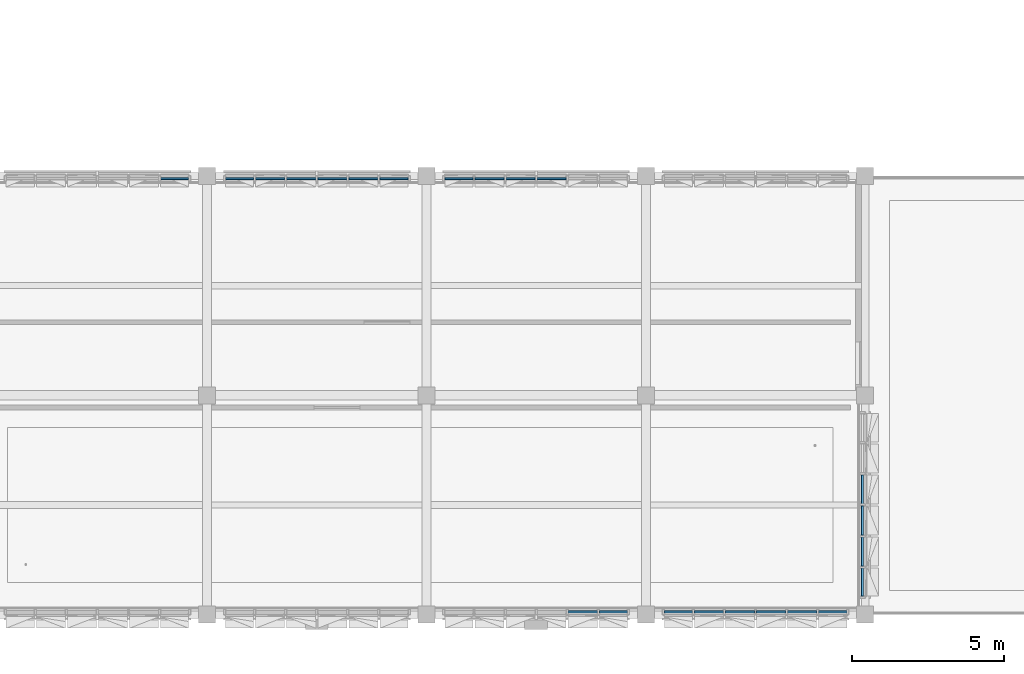
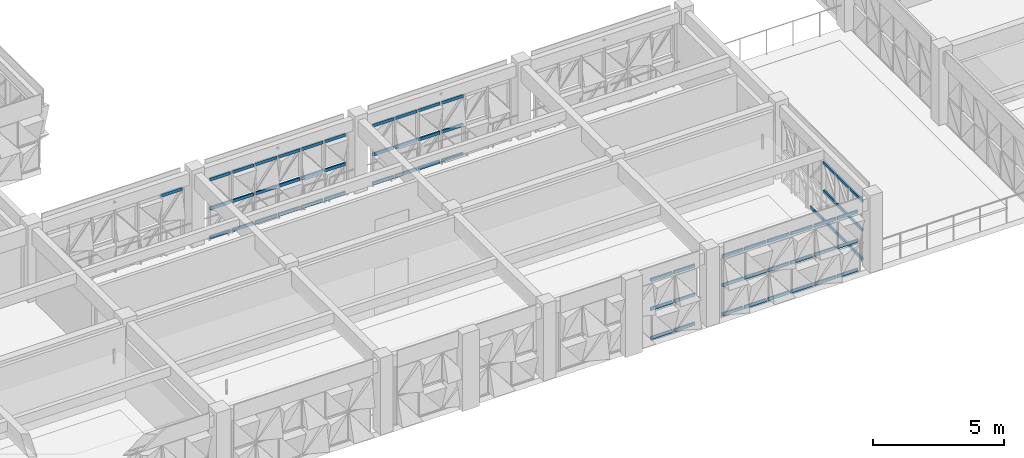
# One storey, part 22 of 85: 65 members, 6 elements without a shape of their own.
"""IFC4 building model written with IfcOpenShell, lengths in metres."""

from ifc_helpers import new_model, si_unit, direction, frame, origin, origin_2d, place, context, subcontext, project, spatial, rectangle, extrude, material, material_profile, profile_set, type_object, element, aggregate, save


model = new_model("IFC4")

# Units and contexts
model_context = context("Model", 3, precision=1e-05, world=origin(), true_north=direction((0.0, 1.0)))
body_context = subcontext(model_context, "Body", "Model", "MODEL_VIEW")
ifc_project = project(units=[si_unit("LENGTHUNIT", "METRE"), si_unit("AREAUNIT", "SQUARE_METRE"), si_unit("VOLUMEUNIT", "CUBIC_METRE"), si_unit("PLANEANGLEUNIT", "RADIAN"), si_unit("MASSUNIT", "GRAM", prefix="KILO")], contexts=[model_context])

# Site, building, storey
site_placement = place(None, origin())
site = spatial("IfcSite", under=ifc_project, at=site_placement, CompositionType="ELEMENT")
building_placement = place(site_placement, origin())
building = spatial("IfcBuilding", under=site, at=building_placement, Name="Alvorim Cloister Faculty of Sciences", CompositionType="ELEMENT")
storey_placement = place(building_placement, frame((0.0, 0.0, 8.550048828125)))
storey = spatial("IfcBuildingStorey", under=building, at=storey_placement, Name="L02", CompositionType="ELEMENT", Elevation=8.550048828125)

# Curtain wall, member
ifc_material_1 = material(Name="Aluminium and Low-E Glass Curtain Wall", Category="aluminium")
curtain_wall_type = type_object("IfcCurtainWallType", Name="CW-TRI-6120x2850", PredefinedType="USERDEFINED", material=ifc_material_1)
curtain_wall_1_placement = place(storey_placement, origin())
curtain_wall_1 = element("IfcCurtainWall", 1, at=curtain_wall_1_placement, inside=storey, type_object=curtain_wall_type, Name="L02 Diagonal Cassette Curtain Wall CW-0075", ObjectType="UNITISED CURTAIN WALL", PredefinedType="USERDEFINED")
ifc_material_2 = material(Name="Aluminium Alloy 6063-T6", Category="aluminium")
ifc_material_profile = material_profile(ifc_material_2, rectangle(XDim=0.06494140625, YDim=0.139892578125, at=origin_2d()), Name="ALU-TRN-65x140")
ifc_profile_set = profile_set([ifc_material_profile], Name="Aluminium Alloy 6063-T6")
member_type = type_object("IfcMemberType", Name="CW-TRN-65x140", PredefinedType="USERDEFINED", material=ifc_profile_set)
member_1_placement = place(storey_placement, frame((34.472412109375, 14.31005859375, 2.780029296875), z_axis=(1.0, 0.0, 0.0), x_axis=(0.0, 1.0, 0.0)))
member_1 = element("IfcMember", 2, at=member_1_placement, type_object=member_type, Name="CW-0075 Transom 6.3", ObjectType="TRANSOM", PredefinedType="USERDEFINED", context=body_context, shape_type="SweptSolid", body=[
    extrude(rectangle(XDim=0.06494140625, YDim=0.139892578125, at=origin_2d()), origin(), (0.0, 0.0, 1.0), 0.922607421875),
])
aggregate(curtain_wall_1, [member_1])

# Curtain wall, members
curtain_wall_2_placement = place(storey_placement, origin())
curtain_wall_2 = element("IfcCurtainWall", 3, at=curtain_wall_2_placement, inside=storey, type_object=curtain_wall_type, Name="L02 Diagonal Cassette Curtain Wall CW-0076", ObjectType="UNITISED CURTAIN WALL", PredefinedType="USERDEFINED")
member_2_placement = place(storey_placement, frame((36.60498046875, 14.31005859375, 0.070068359375), z_axis=(1.0, 0.0, 0.0), x_axis=(0.0, 1.0, 0.0)))
member_2 = element("IfcMember", 4, at=member_2_placement, type_object=member_type, Name="CW-0076 Transom 1.1", ObjectType="TRANSOM", PredefinedType="USERDEFINED", context=body_context, shape_type="SweptSolid", body=[
    extrude(rectangle(XDim=0.06494140625, YDim=0.139892578125, at=origin_2d()), origin(), (0.0, 0.0, 1.0), 0.922607421875),
])
member_3_placement = place(storey_placement, frame((36.60498046875, 14.31005859375, 1.425048828125), z_axis=(1.0, 0.0, 0.0), x_axis=(0.0, 1.0, 0.0)))
member_3 = element("IfcMember", 5, at=member_3_placement, type_object=member_type, Name="CW-0076 Transom 1.2", ObjectType="TRANSOM", PredefinedType="USERDEFINED", context=body_context, shape_type="SweptSolid", body=[
    extrude(rectangle(XDim=0.06494140625, YDim=0.139892578125, at=origin_2d()), origin(), (0.0, 0.0, 1.0), 0.922607421875),
])
member_4_placement = place(storey_placement, frame((36.60498046875, 14.31005859375, 2.780029296875), z_axis=(1.0, 0.0, 0.0), x_axis=(0.0, 1.0, 0.0)))
member_4 = element("IfcMember", 6, at=member_4_placement, type_object=member_type, Name="CW-0076 Transom 1.3", ObjectType="TRANSOM", PredefinedType="USERDEFINED", context=body_context, shape_type="SweptSolid", body=[
    extrude(rectangle(XDim=0.06494140625, YDim=0.139892578125, at=origin_2d()), origin(), (0.0, 0.0, 1.0), 0.922607421875),
])
member_5_placement = place(storey_placement, frame((37.592529296875, 14.31005859375, 0.070068359375), z_axis=(1.0, 0.0, 0.0), x_axis=(0.0, 1.0, 0.0)))
member_5 = element("IfcMember", 7, at=member_5_placement, type_object=member_type, Name="CW-0076 Transom 2.1", ObjectType="TRANSOM", PredefinedType="USERDEFINED", context=body_context, shape_type="SweptSolid", body=[
    extrude(rectangle(XDim=0.06494140625, YDim=0.139892578125, at=origin_2d()), origin(), (0.0, 0.0, 1.0), 0.955078125),
])
member_6_placement = place(storey_placement, frame((37.592529296875, 14.31005859375, 1.425048828125), z_axis=(1.0, 0.0, 0.0), x_axis=(0.0, 1.0, 0.0)))
member_6 = element("IfcMember", 8, at=member_6_placement, type_object=member_type, Name="CW-0076 Transom 2.2", ObjectType="TRANSOM", PredefinedType="USERDEFINED", context=body_context, shape_type="SweptSolid", body=[
    extrude(rectangle(XDim=0.06494140625, YDim=0.139892578125, at=origin_2d()), origin(), (0.0, 0.0, 1.0), 0.955078125),
])
member_7_placement = place(storey_placement, frame((37.592529296875, 14.31005859375, 2.780029296875), z_axis=(1.0, 0.0, 0.0), x_axis=(0.0, 1.0, 0.0)))
member_7 = element("IfcMember", 9, at=member_7_placement, type_object=member_type, Name="CW-0076 Transom 2.3", ObjectType="TRANSOM", PredefinedType="USERDEFINED", context=body_context, shape_type="SweptSolid", body=[
    extrude(rectangle(XDim=0.06494140625, YDim=0.139892578125, at=origin_2d()), origin(), (0.0, 0.0, 1.0), 0.955078125),
])
member_8_placement = place(storey_placement, frame((38.612548828125, 14.31005859375, 0.070068359375), z_axis=(1.0, 0.0, 0.0), x_axis=(0.0, 1.0, 0.0)))
member_8 = element("IfcMember", 10, at=member_8_placement, type_object=member_type, Name="CW-0076 Transom 3.1", ObjectType="TRANSOM", PredefinedType="USERDEFINED", context=body_context, shape_type="SweptSolid", body=[
    extrude(rectangle(XDim=0.06494140625, YDim=0.139892578125, at=origin_2d()), origin(), (0.0, 0.0, 1.0), 0.954833984375),
])
member_9_placement = place(storey_placement, frame((38.612548828125, 14.31005859375, 1.425048828125), z_axis=(1.0, 0.0, 0.0), x_axis=(0.0, 1.0, 0.0)))
member_9 = element("IfcMember", 11, at=member_9_placement, type_object=member_type, Name="CW-0076 Transom 3.2", ObjectType="TRANSOM", PredefinedType="USERDEFINED", context=body_context, shape_type="SweptSolid", body=[
    extrude(rectangle(XDim=0.06494140625, YDim=0.139892578125, at=origin_2d()), origin(), (0.0, 0.0, 1.0), 0.954833984375),
])
member_10_placement = place(storey_placement, frame((38.612548828125, 14.31005859375, 2.780029296875), z_axis=(1.0, 0.0, 0.0), x_axis=(0.0, 1.0, 0.0)))
member_10 = element("IfcMember", 12, at=member_10_placement, type_object=member_type, Name="CW-0076 Transom 3.3", ObjectType="TRANSOM", PredefinedType="USERDEFINED", context=body_context, shape_type="SweptSolid", body=[
    extrude(rectangle(XDim=0.06494140625, YDim=0.139892578125, at=origin_2d()), origin(), (0.0, 0.0, 1.0), 0.954833984375),
])
member_11_placement = place(storey_placement, frame((39.632568359375, 14.31005859375, 0.070068359375), z_axis=(1.0, 0.0, 0.0), x_axis=(0.0, 1.0, 0.0)))
member_11 = element("IfcMember", 13, at=member_11_placement, type_object=member_type, Name="CW-0076 Transom 4.1", ObjectType="TRANSOM", PredefinedType="USERDEFINED", context=body_context, shape_type="SweptSolid", body=[
    extrude(rectangle(XDim=0.06494140625, YDim=0.139892578125, at=origin_2d()), origin(), (0.0, 0.0, 1.0), 0.954833984375),
])
member_12_placement = place(storey_placement, frame((39.632568359375, 14.31005859375, 1.425048828125), z_axis=(1.0, 0.0, 0.0), x_axis=(0.0, 1.0, 0.0)))
member_12 = element("IfcMember", 14, at=member_12_placement, type_object=member_type, Name="CW-0076 Transom 4.2", ObjectType="TRANSOM", PredefinedType="USERDEFINED", context=body_context, shape_type="SweptSolid", body=[
    extrude(rectangle(XDim=0.06494140625, YDim=0.139892578125, at=origin_2d()), origin(), (0.0, 0.0, 1.0), 0.954833984375),
])
member_13_placement = place(storey_placement, frame((39.632568359375, 14.31005859375, 2.780029296875), z_axis=(1.0, 0.0, 0.0), x_axis=(0.0, 1.0, 0.0)))
member_13 = element("IfcMember", 15, at=member_13_placement, type_object=member_type, Name="CW-0076 Transom 4.3", ObjectType="TRANSOM", PredefinedType="USERDEFINED", context=body_context, shape_type="SweptSolid", body=[
    extrude(rectangle(XDim=0.06494140625, YDim=0.139892578125, at=origin_2d()), origin(), (0.0, 0.0, 1.0), 0.954833984375),
])
member_14_placement = place(storey_placement, frame((40.652587890625, 14.31005859375, 0.070068359375), z_axis=(1.0, 0.0, 0.0), x_axis=(0.0, 1.0, 0.0)))
member_14 = element("IfcMember", 16, at=member_14_placement, type_object=member_type, Name="CW-0076 Transom 5.1", ObjectType="TRANSOM", PredefinedType="USERDEFINED", context=body_context, shape_type="SweptSolid", body=[
    extrude(rectangle(XDim=0.06494140625, YDim=0.139892578125, at=origin_2d()), origin(), (0.0, 0.0, 1.0), 0.954833984375),
])
member_15_placement = place(storey_placement, frame((40.652587890625, 14.31005859375, 1.425048828125), z_axis=(1.0, 0.0, 0.0), x_axis=(0.0, 1.0, 0.0)))
member_15 = element("IfcMember", 17, at=member_15_placement, type_object=member_type, Name="CW-0076 Transom 5.2", ObjectType="TRANSOM", PredefinedType="USERDEFINED", context=body_context, shape_type="SweptSolid", body=[
    extrude(rectangle(XDim=0.06494140625, YDim=0.139892578125, at=origin_2d()), origin(), (0.0, 0.0, 1.0), 0.954833984375),
])
member_16_placement = place(storey_placement, frame((40.652587890625, 14.31005859375, 2.780029296875), z_axis=(1.0, 0.0, 0.0), x_axis=(0.0, 1.0, 0.0)))
member_16 = element("IfcMember", 18, at=member_16_placement, type_object=member_type, Name="CW-0076 Transom 5.3", ObjectType="TRANSOM", PredefinedType="USERDEFINED", context=body_context, shape_type="SweptSolid", body=[
    extrude(rectangle(XDim=0.06494140625, YDim=0.139892578125, at=origin_2d()), origin(), (0.0, 0.0, 1.0), 0.954833984375),
])
member_17_placement = place(storey_placement, frame((41.672607421875, 14.31005859375, 0.070068359375), z_axis=(1.0, 0.0, 0.0), x_axis=(0.0, 1.0, 0.0)))
member_17 = element("IfcMember", 19, at=member_17_placement, type_object=member_type, Name="CW-0076 Transom 6.1", ObjectType="TRANSOM", PredefinedType="USERDEFINED", context=body_context, shape_type="SweptSolid", body=[
    extrude(rectangle(XDim=0.06494140625, YDim=0.139892578125, at=origin_2d()), origin(), (0.0, 0.0, 1.0), 0.92236328125),
])
member_18_placement = place(storey_placement, frame((41.672607421875, 14.31005859375, 1.425048828125), z_axis=(1.0, 0.0, 0.0), x_axis=(0.0, 1.0, 0.0)))
member_18 = element("IfcMember", 20, at=member_18_placement, type_object=member_type, Name="CW-0076 Transom 6.2", ObjectType="TRANSOM", PredefinedType="USERDEFINED", context=body_context, shape_type="SweptSolid", body=[
    extrude(rectangle(XDim=0.06494140625, YDim=0.139892578125, at=origin_2d()), origin(), (0.0, 0.0, 1.0), 0.92236328125),
])
member_19_placement = place(storey_placement, frame((41.672607421875, 14.31005859375, 2.780029296875), z_axis=(1.0, 0.0, 0.0), x_axis=(0.0, 1.0, 0.0)))
member_19 = element("IfcMember", 21, at=member_19_placement, type_object=member_type, Name="CW-0076 Transom 6.3", ObjectType="TRANSOM", PredefinedType="USERDEFINED", context=body_context, shape_type="SweptSolid", body=[
    extrude(rectangle(XDim=0.06494140625, YDim=0.139892578125, at=origin_2d()), origin(), (0.0, 0.0, 1.0), 0.92236328125),
])
aggregate(curtain_wall_2, [member_2, member_3, member_4, member_5, member_6, member_7, member_8, member_9, member_10, member_11, member_12, member_13, member_14, member_15, member_16, member_17, member_18, member_19])

curtain_wall_3_placement = place(storey_placement, origin())
curtain_wall_3 = element("IfcCurtainWall", 22, at=curtain_wall_3_placement, inside=storey, type_object=curtain_wall_type, Name="L02 Diagonal Cassette Curtain Wall CW-0077", ObjectType="UNITISED CURTAIN WALL", PredefinedType="USERDEFINED")
member_20_placement = place(storey_placement, frame((43.804931640625, 14.31005859375, 0.070068359375), z_axis=(1.0, 0.0, 0.0), x_axis=(0.0, 1.0, 0.0)))
member_20 = element("IfcMember", 23, at=member_20_placement, type_object=member_type, Name="CW-0077 Transom 1.1", ObjectType="TRANSOM", PredefinedType="USERDEFINED", context=body_context, shape_type="SweptSolid", body=[
    extrude(rectangle(XDim=0.06494140625, YDim=0.139892578125, at=origin_2d()), origin(), (0.0, 0.0, 1.0), 0.922607421875),
])
member_21_placement = place(storey_placement, frame((43.804931640625, 14.31005859375, 1.425048828125), z_axis=(1.0, 0.0, 0.0), x_axis=(0.0, 1.0, 0.0)))
member_21 = element("IfcMember", 24, at=member_21_placement, type_object=member_type, Name="CW-0077 Transom 1.2", ObjectType="TRANSOM", PredefinedType="USERDEFINED", context=body_context, shape_type="SweptSolid", body=[
    extrude(rectangle(XDim=0.06494140625, YDim=0.139892578125, at=origin_2d()), origin(), (0.0, 0.0, 1.0), 0.922607421875),
])
member_22_placement = place(storey_placement, frame((43.804931640625, 14.31005859375, 2.780029296875), z_axis=(1.0, 0.0, 0.0), x_axis=(0.0, 1.0, 0.0)))
member_22 = element("IfcMember", 25, at=member_22_placement, type_object=member_type, Name="CW-0077 Transom 1.3", ObjectType="TRANSOM", PredefinedType="USERDEFINED", context=body_context, shape_type="SweptSolid", body=[
    extrude(rectangle(XDim=0.06494140625, YDim=0.139892578125, at=origin_2d()), origin(), (0.0, 0.0, 1.0), 0.922607421875),
])
member_23_placement = place(storey_placement, frame((44.79248046875, 14.31005859375, 0.070068359375), z_axis=(1.0, 0.0, 0.0), x_axis=(0.0, 1.0, 0.0)))
member_23 = element("IfcMember", 26, at=member_23_placement, type_object=member_type, Name="CW-0077 Transom 2.1", ObjectType="TRANSOM", PredefinedType="USERDEFINED", context=body_context, shape_type="SweptSolid", body=[
    extrude(rectangle(XDim=0.06494140625, YDim=0.139892578125, at=origin_2d()), origin(), (0.0, 0.0, 1.0), 0.955078125),
])
member_24_placement = place(storey_placement, frame((44.79248046875, 14.31005859375, 1.425048828125), z_axis=(1.0, 0.0, 0.0), x_axis=(0.0, 1.0, 0.0)))
member_24 = element("IfcMember", 27, at=member_24_placement, type_object=member_type, Name="CW-0077 Transom 2.2", ObjectType="TRANSOM", PredefinedType="USERDEFINED", context=body_context, shape_type="SweptSolid", body=[
    extrude(rectangle(XDim=0.06494140625, YDim=0.139892578125, at=origin_2d()), origin(), (0.0, 0.0, 1.0), 0.955078125),
])
member_25_placement = place(storey_placement, frame((44.79248046875, 14.31005859375, 2.780029296875), z_axis=(1.0, 0.0, 0.0), x_axis=(0.0, 1.0, 0.0)))
member_25 = element("IfcMember", 28, at=member_25_placement, type_object=member_type, Name="CW-0077 Transom 2.3", ObjectType="TRANSOM", PredefinedType="USERDEFINED", context=body_context, shape_type="SweptSolid", body=[
    extrude(rectangle(XDim=0.06494140625, YDim=0.139892578125, at=origin_2d()), origin(), (0.0, 0.0, 1.0), 0.955078125),
])
member_26_placement = place(storey_placement, frame((45.8125, 14.31005859375, 0.070068359375), z_axis=(1.0, 0.0, 0.0), x_axis=(0.0, 1.0, 0.0)))
member_26 = element("IfcMember", 29, at=member_26_placement, type_object=member_type, Name="CW-0077 Transom 3.1", ObjectType="TRANSOM", PredefinedType="USERDEFINED", context=body_context, shape_type="SweptSolid", body=[
    extrude(rectangle(XDim=0.06494140625, YDim=0.139892578125, at=origin_2d()), origin(), (0.0, 0.0, 1.0), 0.955078125),
])
member_27_placement = place(storey_placement, frame((45.8125, 14.31005859375, 1.425048828125), z_axis=(1.0, 0.0, 0.0), x_axis=(0.0, 1.0, 0.0)))
member_27 = element("IfcMember", 30, at=member_27_placement, type_object=member_type, Name="CW-0077 Transom 3.2", ObjectType="TRANSOM", PredefinedType="USERDEFINED", context=body_context, shape_type="SweptSolid", body=[
    extrude(rectangle(XDim=0.06494140625, YDim=0.139892578125, at=origin_2d()), origin(), (0.0, 0.0, 1.0), 0.955078125),
])
member_28_placement = place(storey_placement, frame((45.8125, 14.31005859375, 2.780029296875), z_axis=(1.0, 0.0, 0.0), x_axis=(0.0, 1.0, 0.0)))
member_28 = element("IfcMember", 31, at=member_28_placement, type_object=member_type, Name="CW-0077 Transom 3.3", ObjectType="TRANSOM", PredefinedType="USERDEFINED", context=body_context, shape_type="SweptSolid", body=[
    extrude(rectangle(XDim=0.06494140625, YDim=0.139892578125, at=origin_2d()), origin(), (0.0, 0.0, 1.0), 0.955078125),
])
member_29_placement = place(storey_placement, frame((46.83251953125, 14.31005859375, 0.070068359375), z_axis=(1.0, 0.0, 0.0), x_axis=(0.0, 1.0, 0.0)))
member_29 = element("IfcMember", 32, at=member_29_placement, type_object=member_type, Name="CW-0077 Transom 4.1", ObjectType="TRANSOM", PredefinedType="USERDEFINED", context=body_context, shape_type="SweptSolid", body=[
    extrude(rectangle(XDim=0.06494140625, YDim=0.139892578125, at=origin_2d()), origin(), (0.0, 0.0, 1.0), 0.955078125),
])
member_30_placement = place(storey_placement, frame((46.83251953125, 14.31005859375, 1.425048828125), z_axis=(1.0, 0.0, 0.0), x_axis=(0.0, 1.0, 0.0)))
member_30 = element("IfcMember", 33, at=member_30_placement, type_object=member_type, Name="CW-0077 Transom 4.2", ObjectType="TRANSOM", PredefinedType="USERDEFINED", context=body_context, shape_type="SweptSolid", body=[
    extrude(rectangle(XDim=0.06494140625, YDim=0.139892578125, at=origin_2d()), origin(), (0.0, 0.0, 1.0), 0.955078125),
])
member_31_placement = place(storey_placement, frame((46.83251953125, 14.31005859375, 2.780029296875), z_axis=(1.0, 0.0, 0.0), x_axis=(0.0, 1.0, 0.0)))
member_31 = element("IfcMember", 34, at=member_31_placement, type_object=member_type, Name="CW-0077 Transom 4.3", ObjectType="TRANSOM", PredefinedType="USERDEFINED", context=body_context, shape_type="SweptSolid", body=[
    extrude(rectangle(XDim=0.06494140625, YDim=0.139892578125, at=origin_2d()), origin(), (0.0, 0.0, 1.0), 0.955078125),
])
aggregate(curtain_wall_3, [member_20, member_21, member_22, member_23, member_24, member_25, member_26, member_27, member_28, member_29, member_30, member_31])

curtain_wall_4_placement = place(storey_placement, origin())
curtain_wall_4 = element("IfcCurtainWall", 35, at=curtain_wall_4_placement, inside=storey, type_object=curtain_wall_type, Name="L02 Diagonal Cassette Curtain Wall CW-0079", ObjectType="UNITISED CURTAIN WALL", PredefinedType="USERDEFINED")
member_32_placement = place(storey_placement, frame((57.510009765625, 0.60498046875, 0.070068359375), z_axis=(0.0, 1.0, 0.0), x_axis=(-1.0, 0.0, 0.0)))
member_32 = element("IfcMember", 36, at=member_32_placement, type_object=member_type, Name="CW-0079 Transom 1.1", ObjectType="TRANSOM", PredefinedType="USERDEFINED", context=body_context, shape_type="SweptSolid", body=[
    extrude(rectangle(XDim=0.06494140625, YDim=0.139892578125, at=origin_2d()), origin(), (0.0, 0.0, 1.0), 0.922607421875),
])
member_33_placement = place(storey_placement, frame((57.510009765625, 0.60498046875, 1.425048828125), z_axis=(0.0, 1.0, 0.0), x_axis=(-1.0, 0.0, 0.0)))
member_33 = element("IfcMember", 37, at=member_33_placement, type_object=member_type, Name="CW-0079 Transom 1.2", ObjectType="TRANSOM", PredefinedType="USERDEFINED", context=body_context, shape_type="SweptSolid", body=[
    extrude(rectangle(XDim=0.06494140625, YDim=0.139892578125, at=origin_2d()), origin(), (0.0, 0.0, 1.0), 0.922607421875),
])
member_34_placement = place(storey_placement, frame((57.510009765625, 0.60498046875, 2.780029296875), z_axis=(0.0, 1.0, 0.0), x_axis=(-1.0, 0.0, 0.0)))
member_34 = element("IfcMember", 38, at=member_34_placement, type_object=member_type, Name="CW-0079 Transom 1.3", ObjectType="TRANSOM", PredefinedType="USERDEFINED", context=body_context, shape_type="SweptSolid", body=[
    extrude(rectangle(XDim=0.06494140625, YDim=0.139892578125, at=origin_2d()), origin(), (0.0, 0.0, 1.0), 0.922607421875),
])
member_35_placement = place(storey_placement, frame((57.510009765625, 1.592529296875, 0.070068359375), z_axis=(0.0, 1.0, 0.0), x_axis=(-1.0, 0.0, 0.0)))
member_35 = element("IfcMember", 39, at=member_35_placement, type_object=member_type, Name="CW-0079 Transom 2.1", ObjectType="TRANSOM", PredefinedType="USERDEFINED", context=body_context, shape_type="SweptSolid", body=[
    extrude(rectangle(XDim=0.06494140625, YDim=0.139892578125, at=origin_2d()), origin(), (0.0, 0.0, 1.0), 0.955078125),
])
member_36_placement = place(storey_placement, frame((57.510009765625, 1.592529296875, 1.425048828125), z_axis=(0.0, 1.0, 0.0), x_axis=(-1.0, 0.0, 0.0)))
member_36 = element("IfcMember", 40, at=member_36_placement, type_object=member_type, Name="CW-0079 Transom 2.2", ObjectType="TRANSOM", PredefinedType="USERDEFINED", context=body_context, shape_type="SweptSolid", body=[
    extrude(rectangle(XDim=0.06494140625, YDim=0.139892578125, at=origin_2d()), origin(), (0.0, 0.0, 1.0), 0.955078125),
])
member_37_placement = place(storey_placement, frame((57.510009765625, 1.592529296875, 2.780029296875), z_axis=(0.0, 1.0, 0.0), x_axis=(-1.0, 0.0, 0.0)))
member_37 = element("IfcMember", 41, at=member_37_placement, type_object=member_type, Name="CW-0079 Transom 2.3", ObjectType="TRANSOM", PredefinedType="USERDEFINED", context=body_context, shape_type="SweptSolid", body=[
    extrude(rectangle(XDim=0.06494140625, YDim=0.139892578125, at=origin_2d()), origin(), (0.0, 0.0, 1.0), 0.955078125),
])
member_38_placement = place(storey_placement, frame((57.510009765625, 2.612548828125, 0.070068359375), z_axis=(0.0, 1.0, 0.0), x_axis=(-1.0, 0.0, 0.0)))
member_38 = element("IfcMember", 42, at=member_38_placement, type_object=member_type, Name="CW-0079 Transom 3.1", ObjectType="TRANSOM", PredefinedType="USERDEFINED", context=body_context, shape_type="SweptSolid", body=[
    extrude(rectangle(XDim=0.06494140625, YDim=0.139892578125, at=origin_2d()), origin(), (0.0, 0.0, 1.0), 0.954833984375),
])
member_39_placement = place(storey_placement, frame((57.510009765625, 2.612548828125, 1.425048828125), z_axis=(0.0, 1.0, 0.0), x_axis=(-1.0, 0.0, 0.0)))
member_39 = element("IfcMember", 43, at=member_39_placement, type_object=member_type, Name="CW-0079 Transom 3.2", ObjectType="TRANSOM", PredefinedType="USERDEFINED", context=body_context, shape_type="SweptSolid", body=[
    extrude(rectangle(XDim=0.06494140625, YDim=0.139892578125, at=origin_2d()), origin(), (0.0, 0.0, 1.0), 0.954833984375),
])
member_40_placement = place(storey_placement, frame((57.510009765625, 2.612548828125, 2.780029296875), z_axis=(0.0, 1.0, 0.0), x_axis=(-1.0, 0.0, 0.0)))
member_40 = element("IfcMember", 44, at=member_40_placement, type_object=member_type, Name="CW-0079 Transom 3.3", ObjectType="TRANSOM", PredefinedType="USERDEFINED", context=body_context, shape_type="SweptSolid", body=[
    extrude(rectangle(XDim=0.06494140625, YDim=0.139892578125, at=origin_2d()), origin(), (0.0, 0.0, 1.0), 0.954833984375),
])
member_41_placement = place(storey_placement, frame((57.510009765625, 3.632568359375, 0.070068359375), z_axis=(0.0, 1.0, 0.0), x_axis=(-1.0, 0.0, 0.0)))
member_41 = element("IfcMember", 45, at=member_41_placement, type_object=member_type, Name="CW-0079 Transom 4.1", ObjectType="TRANSOM", PredefinedType="USERDEFINED", context=body_context, shape_type="SweptSolid", body=[
    extrude(rectangle(XDim=0.06494140625, YDim=0.139892578125, at=origin_2d()), origin(), (0.0, 0.0, 1.0), 0.954833984375),
])
aggregate(curtain_wall_4, [member_32, member_33, member_34, member_35, member_36, member_37, member_38, member_39, member_40, member_41])

curtain_wall_5_placement = place(storey_placement, origin())
curtain_wall_5 = element("IfcCurtainWall", 46, at=curtain_wall_5_placement, inside=storey, type_object=curtain_wall_type, Name="L02 Diagonal Cassette Curtain Wall CW-0080", ObjectType="UNITISED CURTAIN WALL", PredefinedType="USERDEFINED")
member_42_placement = place(storey_placement, frame((51.0048828125, 0.090087890625, 0.070068359375), z_axis=(1.0, 0.0, 0.0), x_axis=(0.0, 1.0, 0.0)))
member_42 = element("IfcMember", 47, at=member_42_placement, type_object=member_type, Name="CW-0080 Transom 1.1", ObjectType="TRANSOM", PredefinedType="USERDEFINED", context=body_context, shape_type="SweptSolid", body=[
    extrude(rectangle(XDim=0.06494140625, YDim=0.139892578125, at=origin_2d()), origin(), (0.0, 0.0, 1.0), 0.922607421875),
])
member_43_placement = place(storey_placement, frame((51.0048828125, 0.090087890625, 1.425048828125), z_axis=(1.0, 0.0, 0.0), x_axis=(0.0, 1.0, 0.0)))
member_43 = element("IfcMember", 48, at=member_43_placement, type_object=member_type, Name="CW-0080 Transom 1.2", ObjectType="TRANSOM", PredefinedType="USERDEFINED", context=body_context, shape_type="SweptSolid", body=[
    extrude(rectangle(XDim=0.06494140625, YDim=0.139892578125, at=origin_2d()), origin(), (0.0, 0.0, 1.0), 0.922607421875),
])
member_44_placement = place(storey_placement, frame((51.0048828125, 0.090087890625, 2.780029296875), z_axis=(1.0, 0.0, 0.0), x_axis=(0.0, 1.0, 0.0)))
member_44 = element("IfcMember", 49, at=member_44_placement, type_object=member_type, Name="CW-0080 Transom 1.3", ObjectType="TRANSOM", PredefinedType="USERDEFINED", context=body_context, shape_type="SweptSolid", body=[
    extrude(rectangle(XDim=0.06494140625, YDim=0.139892578125, at=origin_2d()), origin(), (0.0, 0.0, 1.0), 0.922607421875),
])
member_45_placement = place(storey_placement, frame((51.992431640625, 0.090087890625, 0.070068359375), z_axis=(1.0, 0.0, 0.0), x_axis=(0.0, 1.0, 0.0)))
member_45 = element("IfcMember", 50, at=member_45_placement, type_object=member_type, Name="CW-0080 Transom 2.1", ObjectType="TRANSOM", PredefinedType="USERDEFINED", context=body_context, shape_type="SweptSolid", body=[
    extrude(rectangle(XDim=0.06494140625, YDim=0.139892578125, at=origin_2d()), origin(), (0.0, 0.0, 1.0), 0.955078125),
])
member_46_placement = place(storey_placement, frame((51.992431640625, 0.090087890625, 1.425048828125), z_axis=(1.0, 0.0, 0.0), x_axis=(0.0, 1.0, 0.0)))
member_46 = element("IfcMember", 51, at=member_46_placement, type_object=member_type, Name="CW-0080 Transom 2.2", ObjectType="TRANSOM", PredefinedType="USERDEFINED", context=body_context, shape_type="SweptSolid", body=[
    extrude(rectangle(XDim=0.06494140625, YDim=0.139892578125, at=origin_2d()), origin(), (0.0, 0.0, 1.0), 0.955078125),
])
member_47_placement = place(storey_placement, frame((51.992431640625, 0.090087890625, 2.780029296875), z_axis=(1.0, 0.0, 0.0), x_axis=(0.0, 1.0, 0.0)))
member_47 = element("IfcMember", 52, at=member_47_placement, type_object=member_type, Name="CW-0080 Transom 2.3", ObjectType="TRANSOM", PredefinedType="USERDEFINED", context=body_context, shape_type="SweptSolid", body=[
    extrude(rectangle(XDim=0.06494140625, YDim=0.139892578125, at=origin_2d()), origin(), (0.0, 0.0, 1.0), 0.955078125),
])
member_48_placement = place(storey_placement, frame((53.012451171875, 0.090087890625, 0.070068359375), z_axis=(1.0, 0.0, 0.0), x_axis=(0.0, 1.0, 0.0)))
member_48 = element("IfcMember", 53, at=member_48_placement, type_object=member_type, Name="CW-0080 Transom 3.1", ObjectType="TRANSOM", PredefinedType="USERDEFINED", context=body_context, shape_type="SweptSolid", body=[
    extrude(rectangle(XDim=0.06494140625, YDim=0.139892578125, at=origin_2d()), origin(), (0.0, 0.0, 1.0), 0.955078125),
])
member_49_placement = place(storey_placement, frame((53.012451171875, 0.090087890625, 1.425048828125), z_axis=(1.0, 0.0, 0.0), x_axis=(0.0, 1.0, 0.0)))
member_49 = element("IfcMember", 54, at=member_49_placement, type_object=member_type, Name="CW-0080 Transom 3.2", ObjectType="TRANSOM", PredefinedType="USERDEFINED", context=body_context, shape_type="SweptSolid", body=[
    extrude(rectangle(XDim=0.06494140625, YDim=0.139892578125, at=origin_2d()), origin(), (0.0, 0.0, 1.0), 0.955078125),
])
member_50_placement = place(storey_placement, frame((53.012451171875, 0.090087890625, 2.780029296875), z_axis=(1.0, 0.0, 0.0), x_axis=(0.0, 1.0, 0.0)))
member_50 = element("IfcMember", 55, at=member_50_placement, type_object=member_type, Name="CW-0080 Transom 3.3", ObjectType="TRANSOM", PredefinedType="USERDEFINED", context=body_context, shape_type="SweptSolid", body=[
    extrude(rectangle(XDim=0.06494140625, YDim=0.139892578125, at=origin_2d()), origin(), (0.0, 0.0, 1.0), 0.955078125),
])
member_51_placement = place(storey_placement, frame((54.032470703125, 0.090087890625, 0.070068359375), z_axis=(1.0, 0.0, 0.0), x_axis=(0.0, 1.0, 0.0)))
member_51 = element("IfcMember", 56, at=member_51_placement, type_object=member_type, Name="CW-0080 Transom 4.1", ObjectType="TRANSOM", PredefinedType="USERDEFINED", context=body_context, shape_type="SweptSolid", body=[
    extrude(rectangle(XDim=0.06494140625, YDim=0.139892578125, at=origin_2d()), origin(), (0.0, 0.0, 1.0), 0.955078125),
])
member_52_placement = place(storey_placement, frame((54.032470703125, 0.090087890625, 1.425048828125), z_axis=(1.0, 0.0, 0.0), x_axis=(0.0, 1.0, 0.0)))
member_52 = element("IfcMember", 57, at=member_52_placement, type_object=member_type, Name="CW-0080 Transom 4.2", ObjectType="TRANSOM", PredefinedType="USERDEFINED", context=body_context, shape_type="SweptSolid", body=[
    extrude(rectangle(XDim=0.06494140625, YDim=0.139892578125, at=origin_2d()), origin(), (0.0, 0.0, 1.0), 0.955078125),
])
member_53_placement = place(storey_placement, frame((54.032470703125, 0.090087890625, 2.780029296875), z_axis=(1.0, 0.0, 0.0), x_axis=(0.0, 1.0, 0.0)))
member_53 = element("IfcMember", 58, at=member_53_placement, type_object=member_type, Name="CW-0080 Transom 4.3", ObjectType="TRANSOM", PredefinedType="USERDEFINED", context=body_context, shape_type="SweptSolid", body=[
    extrude(rectangle(XDim=0.06494140625, YDim=0.139892578125, at=origin_2d()), origin(), (0.0, 0.0, 1.0), 0.955078125),
])
member_54_placement = place(storey_placement, frame((55.052490234375, 0.090087890625, 0.070068359375), z_axis=(1.0, 0.0, 0.0), x_axis=(0.0, 1.0, 0.0)))
member_54 = element("IfcMember", 59, at=member_54_placement, type_object=member_type, Name="CW-0080 Transom 5.1", ObjectType="TRANSOM", PredefinedType="USERDEFINED", context=body_context, shape_type="SweptSolid", body=[
    extrude(rectangle(XDim=0.06494140625, YDim=0.139892578125, at=origin_2d()), origin(), (0.0, 0.0, 1.0), 0.955078125),
])
member_55_placement = place(storey_placement, frame((55.052490234375, 0.090087890625, 1.425048828125), z_axis=(1.0, 0.0, 0.0), x_axis=(0.0, 1.0, 0.0)))
member_55 = element("IfcMember", 60, at=member_55_placement, type_object=member_type, Name="CW-0080 Transom 5.2", ObjectType="TRANSOM", PredefinedType="USERDEFINED", context=body_context, shape_type="SweptSolid", body=[
    extrude(rectangle(XDim=0.06494140625, YDim=0.139892578125, at=origin_2d()), origin(), (0.0, 0.0, 1.0), 0.955078125),
])
member_56_placement = place(storey_placement, frame((55.052490234375, 0.090087890625, 2.780029296875), z_axis=(1.0, 0.0, 0.0), x_axis=(0.0, 1.0, 0.0)))
member_56 = element("IfcMember", 61, at=member_56_placement, type_object=member_type, Name="CW-0080 Transom 5.3", ObjectType="TRANSOM", PredefinedType="USERDEFINED", context=body_context, shape_type="SweptSolid", body=[
    extrude(rectangle(XDim=0.06494140625, YDim=0.139892578125, at=origin_2d()), origin(), (0.0, 0.0, 1.0), 0.955078125),
])
member_57_placement = place(storey_placement, frame((56.072509765625, 0.090087890625, 0.070068359375), z_axis=(1.0, 0.0, 0.0), x_axis=(0.0, 1.0, 0.0)))
member_57 = element("IfcMember", 62, at=member_57_placement, type_object=member_type, Name="CW-0080 Transom 6.1", ObjectType="TRANSOM", PredefinedType="USERDEFINED", context=body_context, shape_type="SweptSolid", body=[
    extrude(rectangle(XDim=0.06494140625, YDim=0.139892578125, at=origin_2d()), origin(), (0.0, 0.0, 1.0), 0.922607421875),
])
member_58_placement = place(storey_placement, frame((56.072509765625, 0.090087890625, 1.425048828125), z_axis=(1.0, 0.0, 0.0), x_axis=(0.0, 1.0, 0.0)))
member_58 = element("IfcMember", 63, at=member_58_placement, type_object=member_type, Name="CW-0080 Transom 6.2", ObjectType="TRANSOM", PredefinedType="USERDEFINED", context=body_context, shape_type="SweptSolid", body=[
    extrude(rectangle(XDim=0.06494140625, YDim=0.139892578125, at=origin_2d()), origin(), (0.0, 0.0, 1.0), 0.922607421875),
])
member_59_placement = place(storey_placement, frame((56.072509765625, 0.090087890625, 2.780029296875), z_axis=(1.0, 0.0, 0.0), x_axis=(0.0, 1.0, 0.0)))
member_59 = element("IfcMember", 64, at=member_59_placement, type_object=member_type, Name="CW-0080 Transom 6.3", ObjectType="TRANSOM", PredefinedType="USERDEFINED", context=body_context, shape_type="SweptSolid", body=[
    extrude(rectangle(XDim=0.06494140625, YDim=0.139892578125, at=origin_2d()), origin(), (0.0, 0.0, 1.0), 0.922607421875),
])
aggregate(curtain_wall_5, [member_42, member_43, member_44, member_45, member_46, member_47, member_48, member_49, member_50, member_51, member_52, member_53, member_54, member_55, member_56, member_57, member_58, member_59])

curtain_wall_6_placement = place(storey_placement, origin())
curtain_wall_6 = element("IfcCurtainWall", 65, at=curtain_wall_6_placement, inside=storey, type_object=curtain_wall_type, Name="L02 Diagonal Cassette Curtain Wall CW-0081", ObjectType="UNITISED CURTAIN WALL", PredefinedType="USERDEFINED")
member_60_placement = place(storey_placement, frame((47.8525390625, 0.090087890625, 0.070068359375), z_axis=(1.0, 0.0, 0.0), x_axis=(0.0, 1.0, 0.0)))
member_60 = element("IfcMember", 66, at=member_60_placement, type_object=member_type, Name="CW-0081 Transom 5.1", ObjectType="TRANSOM", PredefinedType="USERDEFINED", context=body_context, shape_type="SweptSolid", body=[
    extrude(rectangle(XDim=0.06494140625, YDim=0.139892578125, at=origin_2d()), origin(), (0.0, 0.0, 1.0), 0.955078125),
])
member_61_placement = place(storey_placement, frame((47.8525390625, 0.090087890625, 1.425048828125), z_axis=(1.0, 0.0, 0.0), x_axis=(0.0, 1.0, 0.0)))
member_61 = element("IfcMember", 67, at=member_61_placement, type_object=member_type, Name="CW-0081 Transom 5.2", ObjectType="TRANSOM", PredefinedType="USERDEFINED", context=body_context, shape_type="SweptSolid", body=[
    extrude(rectangle(XDim=0.06494140625, YDim=0.139892578125, at=origin_2d()), origin(), (0.0, 0.0, 1.0), 0.955078125),
])
member_62_placement = place(storey_placement, frame((47.8525390625, 0.090087890625, 2.780029296875), z_axis=(1.0, 0.0, 0.0), x_axis=(0.0, 1.0, 0.0)))
member_62 = element("IfcMember", 68, at=member_62_placement, type_object=member_type, Name="CW-0081 Transom 5.3", ObjectType="TRANSOM", PredefinedType="USERDEFINED", context=body_context, shape_type="SweptSolid", body=[
    extrude(rectangle(XDim=0.06494140625, YDim=0.139892578125, at=origin_2d()), origin(), (0.0, 0.0, 1.0), 0.955078125),
])
member_63_placement = place(storey_placement, frame((48.87255859375, 0.090087890625, 0.070068359375), z_axis=(1.0, 0.0, 0.0), x_axis=(0.0, 1.0, 0.0)))
member_63 = element("IfcMember", 69, at=member_63_placement, type_object=member_type, Name="CW-0081 Transom 6.1", ObjectType="TRANSOM", PredefinedType="USERDEFINED", context=body_context, shape_type="SweptSolid", body=[
    extrude(rectangle(XDim=0.06494140625, YDim=0.139892578125, at=origin_2d()), origin(), (0.0, 0.0, 1.0), 0.92236328125),
])
member_64_placement = place(storey_placement, frame((48.87255859375, 0.090087890625, 1.425048828125), z_axis=(1.0, 0.0, 0.0), x_axis=(0.0, 1.0, 0.0)))
member_64 = element("IfcMember", 70, at=member_64_placement, type_object=member_type, Name="CW-0081 Transom 6.2", ObjectType="TRANSOM", PredefinedType="USERDEFINED", context=body_context, shape_type="SweptSolid", body=[
    extrude(rectangle(XDim=0.06494140625, YDim=0.139892578125, at=origin_2d()), origin(), (0.0, 0.0, 1.0), 0.92236328125),
])
member_65_placement = place(storey_placement, frame((48.87255859375, 0.090087890625, 2.780029296875), z_axis=(1.0, 0.0, 0.0), x_axis=(0.0, 1.0, 0.0)))
member_65 = element("IfcMember", 71, at=member_65_placement, type_object=member_type, Name="CW-0081 Transom 6.3", ObjectType="TRANSOM", PredefinedType="USERDEFINED", context=body_context, shape_type="SweptSolid", body=[
    extrude(rectangle(XDim=0.06494140625, YDim=0.139892578125, at=origin_2d()), origin(), (0.0, 0.0, 1.0), 0.92236328125),
])
aggregate(curtain_wall_6, [member_60, member_61, member_62, member_63, member_64, member_65])

save(model, "model.ifc")
